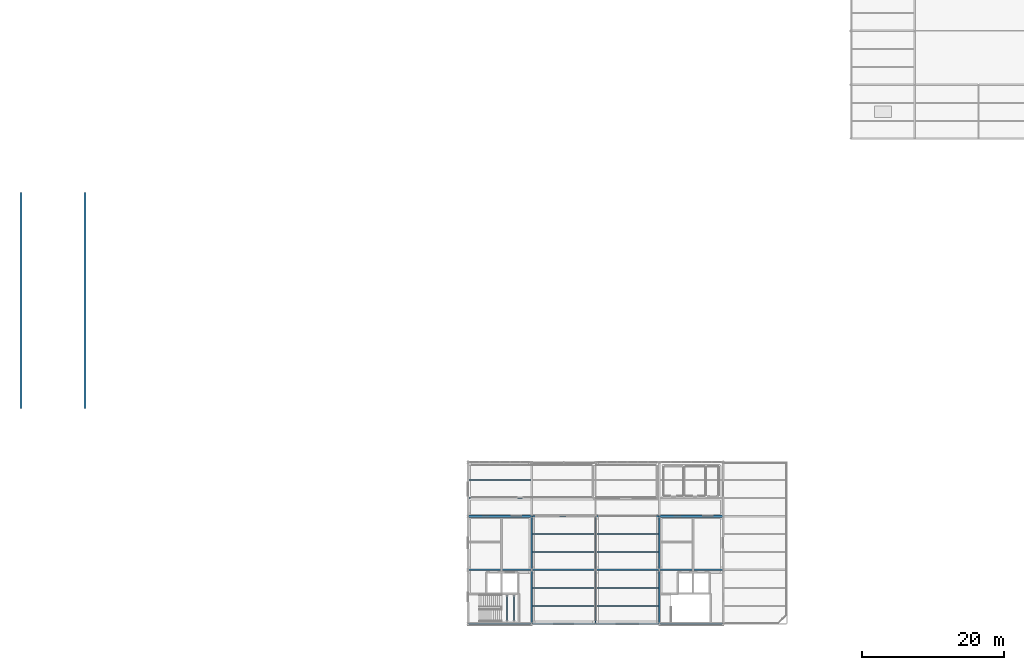
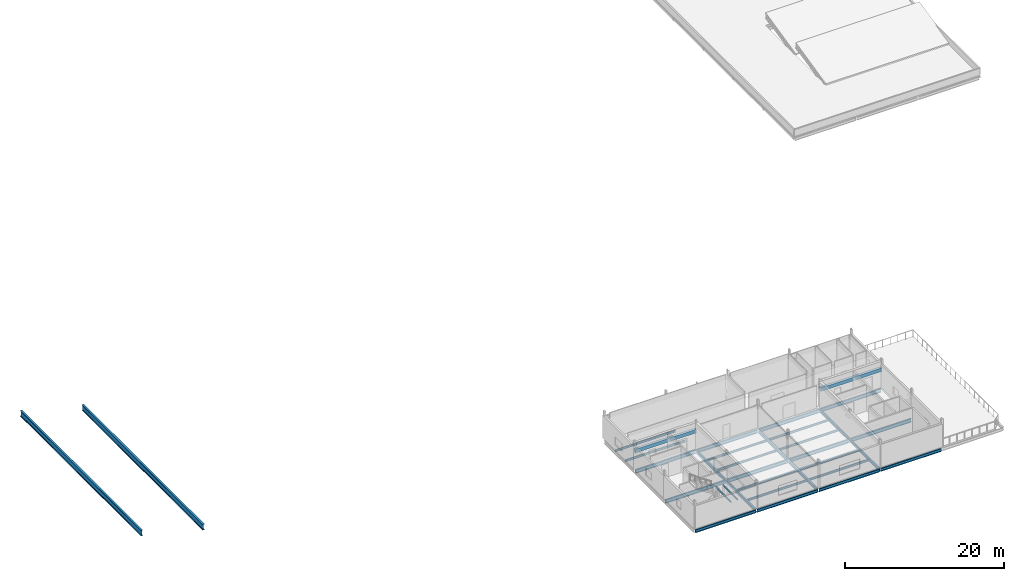
# One storey, part 5 of 24: 34 beams.
"""IFC4 building model written with IfcOpenShell, lengths in metres."""

import ifcopenshell
import ifcopenshell.guid

model = None  # the IFC model being written
_history = None  # IfcOwnerHistory: only IFC2X3 demands one
_inside = {}  # id of a spatial element -> (the spatial element, [elements in it])
_under = {}  # id of a project, library or spatial element -> (it, [spatial elements below it])
_declared = {}  # id of a project -> (the project, [libraries it declares])
_typed = {}  # id of a type object -> (the type object, [elements of that type])
_made_of = {}  # id of a material, layer set ... -> (it, [elements and type objects made of it])


def new_model(schema):
    """Start an empty IFC model of exactly this schema.

    Asked for "IFC4X3", IfcOpenShell would pick the latest addendum, in which some entities
    have other attributes; the version numbers below select the first issue.
    IFC2X3 requires an IfcOwnerHistory on every rooted entity: one is made here for all.
    """
    global model, _history
    if schema == "IFC4X3":
        model = ifcopenshell.file(schema_version=(4, 3, 0, 0))
    else:
        model = ifcopenshell.file(schema=schema)
    _inside.clear()
    _under.clear()
    _declared.clear()
    _typed.clear()
    _made_of.clear()
    _history = None
    if model.schema == "IFC2X3":
        org = make("IfcOrganization", Name="unknown")
        user = make(
            "IfcPersonAndOrganization",
            ThePerson=make("IfcPerson", FamilyName="unknown"),
            TheOrganization=org,
        )
        app = make(
            "IfcApplication",
            ApplicationDeveloper=org,
            Version="unknown",
            ApplicationFullName="unknown",
            ApplicationIdentifier="unknown",
        )
        _history = make(
            "IfcOwnerHistory",
            OwningUser=user,
            OwningApplication=app,
            ChangeAction="ADDED",
            CreationDate=0,
        )
    return model


def make(cls, **values):
    """One entity of the class cls with the attributes given. An attribute that is None is left unset."""
    return model.create_entity(
        cls, **{name: value for name, value in values.items() if value is not None}
    )


def rooted(cls, **values):
    """An entity with a GlobalId (a new one), such as an element, a storey or a relation."""
    return make(cls, GlobalId=ifcopenshell.guid.new(), OwnerHistory=_history, **values)


def si_unit(unit_type, name, prefix=None):
    """IfcSIUnit, for example si_unit("LENGTHUNIT", "METRE", prefix="MILLI")."""
    return make("IfcSIUnit", UnitType=unit_type, Prefix=prefix, Name=name)


def assignment(units):
    """IfcUnitAssignment: the units of a project."""
    return None if units is None else make("IfcUnitAssignment", Units=units)


def point(xyz):
    """IfcCartesianPoint."""
    return None if xyz is None else make("IfcCartesianPoint", Coordinates=xyz)


def direction(xyz):
    """IfcDirection."""
    return None if xyz is None else make("IfcDirection", DirectionRatios=xyz)


def frame(location, z_axis=None, x_axis=None):
    """IfcAxis2Placement3D, a coordinate frame: its origin and axes. An axis left out is left unset."""
    return make(
        "IfcAxis2Placement3D",
        Location=point(location),
        Axis=direction(z_axis),
        RefDirection=direction(x_axis),
    )


def frame_2d(location, x_axis=None):
    """IfcAxis2Placement2D, a coordinate frame in the plane: its origin and x axis."""
    return make(
        "IfcAxis2Placement2D", Location=point(location), RefDirection=direction(x_axis)
    )


def origin():
    """The frame at (0, 0, 0) with its axes left unset."""
    return frame((0.0, 0.0, 0.0))


def origin_2d():
    """The frame at (0, 0) in the plane with its x axis left unset."""
    return frame_2d((0.0, 0.0))


def place(relative_to, where):
    """IfcLocalPlacement: puts the frame where relative to a parent placement (None: the world)."""
    return make(
        "IfcLocalPlacement", PlacementRelTo=relative_to, RelativePlacement=where
    )


def context(
    kind, dimensions, precision=None, world=None, true_north=None, identifier=None
):
    """IfcGeometricRepresentationContext, for example the 3D "Model" context."""
    return make(
        "IfcGeometricRepresentationContext",
        ContextIdentifier=identifier,
        ContextType=kind,
        CoordinateSpaceDimension=dimensions,
        Precision=precision,
        WorldCoordinateSystem=world,
        TrueNorth=true_north,
    )


def subcontext(parent, identifier, kind, view, scale=None):
    """IfcGeometricRepresentationSubContext, for example "Body" below "Model"."""
    return make(
        "IfcGeometricRepresentationSubContext",
        ContextIdentifier=identifier,
        ContextType=kind,
        ParentContext=parent,
        TargetScale=scale,
        TargetView=view,
    )


def project(units=None, contexts=None):
    """IfcProject with its units and contexts."""
    return rooted(
        "IfcProject",
        Name="project",
        RepresentationContexts=contexts,
        UnitsInContext=assignment(units),
    )


def spatial(cls, under=None, at=None, **own):
    """A site, building, storey or space (cls), placed at a placement, below another one or the project."""
    s = rooted(cls, ObjectPlacement=at, **own)
    if under is not None:
        _under.setdefault(under.id(), (under, []))[1].append(s)
    return s


def profile(cls, at=None, kind="AREA", **sizes):
    """A parametric profile (cls). Its sizes go by their IFC names, for example OverallWidth=200.0."""
    return make(cls, ProfileType=kind, Position=at, **sizes)


def rectangle(**sizes):
    """IfcRectangleProfileDef."""
    return profile("IfcRectangleProfileDef", **sizes)


def i_section(**sizes):
    """IfcIShapeProfileDef."""
    return profile("IfcIShapeProfileDef", **sizes)


def extrude(swept, where, along, depth):
    """IfcExtrudedAreaSolid: the profile swept, set in the frame where, extruded along a direction by depth."""
    return make(
        "IfcExtrudedAreaSolid",
        SweptArea=swept,
        Position=where,
        ExtrudedDirection=direction(along),
        Depth=depth,
    )


def shape(context_of_items, identifier, shape_type, items):
    """IfcShapeRepresentation: the items that make up one representation, for example the "Body"."""
    return make(
        "IfcShapeRepresentation",
        ContextOfItems=context_of_items,
        RepresentationIdentifier=identifier,
        RepresentationType=shape_type,
        Items=items,
    )


def material(Name=None, Category=None):
    """IfcMaterial."""
    return make("IfcMaterial", Name=Name, Category=Category)


def material_profile(
    of_material, cross_section, Name=None, Category=None, Priority=None
):
    """IfcMaterialProfile: a cross section and its material."""
    return make(
        "IfcMaterialProfile",
        Name=Name,
        Material=of_material,
        Profile=cross_section,
        Priority=Priority,
        Category=Category,
    )


def profile_set(profiles, Name=None, composite=None):
    """IfcMaterialProfileSet."""
    return make(
        "IfcMaterialProfileSet",
        Name=Name,
        MaterialProfiles=profiles,
        CompositeProfile=composite,
    )


def made_of(thing, what):
    """Note that an element or type object is made of a material, layer set ...; save() writes the relation."""
    if what is not None:
        _made_of.setdefault(what.id(), (what, []))[1].append(thing)
    return thing


def type_object(cls, material=None, **own):
    """A type object (cls), such as IfcWallType, which elements share."""
    return made_of(rooted(cls, **own), material)


def element(
    cls,
    number,
    at=None,
    inside=None,
    cuts=None,
    type_object=None,
    material=None,
    context=None,
    identifier="Body",
    shape_type=None,
    held_by="IfcProductDefinitionShape",
    body=None,
    shapes=None,
    **own,
):
    """One element of the class cls, such as IfcWall. Its Tag is "e" and its number.

    at: its placement. inside: the storey or other place that contains it. cuts: it is an
    opening in that element (IfcRelVoidsElement). A single representation is given by context,
    identifier, shape_type and body (its items); several are given by shapes. held_by: the class
    of the entity that holds the representations. save() writes the other relations.
    """
    e = rooted(cls, Tag="e%d" % number, ObjectPlacement=at, **own)
    if body is not None:
        shapes = [shape(context, identifier, shape_type, body)]
    if shapes is not None:
        e.Representation = make(held_by, Representations=shapes)
    if inside is not None:
        _inside.setdefault(inside.id(), (inside, []))[1].append(e)
    if cuts is not None:
        rooted(
            "IfcRelVoidsElement", RelatingBuildingElement=cuts, RelatedOpeningElement=e
        )
    if type_object is not None:
        _typed.setdefault(type_object.id(), (type_object, []))[1].append(e)
    return made_of(e, material)


def aggregate(whole, parts):
    """IfcRelAggregates: a whole, such as a stair, and the parts it consists of."""
    return rooted("IfcRelAggregates", RelatingObject=whole, RelatedObjects=parts)


def save(model, path):
    """Write the relations noted so far, then the file.

    IfcRelAggregates (storeys below a building ...), IfcRelContainedInSpatialStructure (elements
    in a storey), IfcRelDefinesByType, IfcRelAssociatesMaterial and IfcRelDeclares: one each for
    every whole, place, type object, material and project.
    """
    for whole, parts in _under.values():
        aggregate(whole, parts)
    for where, things in _inside.values():
        rooted(
            "IfcRelContainedInSpatialStructure",
            RelatedElements=things,
            RelatingStructure=where,
        )
    for kind, things in _typed.values():
        rooted("IfcRelDefinesByType", RelatedObjects=things, RelatingType=kind)
    for what, things in _made_of.values():
        rooted("IfcRelAssociatesMaterial", RelatedObjects=things, RelatingMaterial=what)
    for by, libraries in _declared.values():
        rooted("IfcRelDeclares", RelatingContext=by, RelatedDefinitions=libraries)
    model.write(path)


model = new_model("IFC4")

# Units and contexts
model_context = context("Model", 3, precision=1e-05, world=origin(), true_north=direction((0.0, 1.0)))
body_context = subcontext(model_context, "Body", "Model", "MODEL_VIEW")
ifc_project = project(units=[si_unit("LENGTHUNIT", "METRE"), si_unit("AREAUNIT", "SQUARE_METRE"), si_unit("VOLUMEUNIT", "CUBIC_METRE"), si_unit("PLANEANGLEUNIT", "RADIAN"), si_unit("MASSUNIT", "GRAM", prefix="KILO")], contexts=[model_context])

# Site, building, storey
site_placement = place(None, origin())
site = spatial("IfcSite", under=ifc_project, at=site_placement, CompositionType="ELEMENT")
building_placement = place(site_placement, origin())
building = spatial("IfcBuilding", under=site, at=building_placement, Name="Caisbarro Railhouse Central Library", CompositionType="ELEMENT")
storey_placement = place(building_placement, frame((0.0, 0.0, 22.320068359375)))
storey = spatial("IfcBuildingStorey", under=building, at=storey_placement, Name="L05", CompositionType="ELEMENT", Elevation=22.320068359375)

# Beams
ifc_material_1 = material(Name="Steel ASTM A572 Grade 50", Category="steel")
ifc_material_profile_1 = material_profile(ifc_material_1, i_section(OverallWidth=0.2939453125, OverallDepth=0.85107421875, WebThickness=0.01611328125, FlangeThickness=0.02685546875, FilletRadius=0.02392578125, at=origin_2d()), Name="W840X226.0")
ifc_profile_set_1 = profile_set([ifc_material_profile_1], Name="Steel ASTM A572 Grade 50")
beam_type_1 = type_object("IfcBeamType", Name="BM-G01", PredefinedType="BEAM", material=ifc_profile_set_1)
for number, where, z_axis, x_axis, name in (
    (1, (0.0, 30.35009765625, 2.911376953125), (0.0, 1.0, 0.0), (-1.0, 0.0, 0.0), "V1 Stepped Transverse Gridshell Girder X=0"),
    (2, (9.0, 30.35009765625, 0.661376953125), (0.0, 1.0, 0.0), (-1.0, 0.0, 0.0), "V1 Stepped Transverse Gridshell Girder X=9"),
):
    element("IfcBeam", number, at=place(storey_placement, frame(where, z_axis=z_axis, x_axis=x_axis)), inside=storey, type_object=beam_type_1, Name=name, PredefinedType="BEAM", context=body_context, shape_type="SweptSolid", body=[
        extrude(i_section(OverallWidth=0.2939453125, OverallDepth=0.85107421875, WebThickness=0.01611328125, FlangeThickness=0.02685546875, FilletRadius=0.02392578125, at=origin_2d()), origin(), (0.0, 0.0, 1.0), 30.5),
    ])
ifc_material_profile_2 = material_profile(ifc_material_1, i_section(OverallWidth=0.2119140625, OverallDepth=0.5439453125, WebThickness=0.01318359375, FlangeThickness=0.021240234375, FilletRadius=0.02001953125, at=origin_2d()), Name="W530X123.0")
ifc_profile_set_2 = profile_set([ifc_material_profile_2], Name="Steel ASTM A572 Grade 50")
beam_type_2 = type_object("IfcBeamType", Name="BM-G05", PredefinedType="BEAM", material=ifc_profile_set_2)
for number, where, z_axis, x_axis, name in (
    (3, (63.080078125, 7.60009765625, -0.511962890625), (1.0, 0.0, 0.0), (0.0, 1.0, 0.0), "G05 beam L05 #2178"),
    (4, (72.080078125, 7.60009765625, -0.511962890625), (1.0, 0.0, 0.0), (0.0, 1.0, 0.0), "G05 beam L05 #2179"),
    (5, (81.080078125, 7.60009765625, -0.511962890625), (1.0, 0.0, 0.0), (0.0, 1.0, 0.0), "G05 beam L05 #2180"),
    (6, (90.080078125, 7.60009765625, -0.511962890625), (1.0, 0.0, 0.0), (0.0, 1.0, 0.0), "G05 beam L05 #2181"),
    (7, (63.080078125, 15.199951171875, -0.511962890625), (1.0, 0.0, 0.0), (0.0, 1.0, 0.0), "G05 beam L05 #2182"),
    (8, (72.080078125, 15.199951171875, -0.511962890625), (1.0, 0.0, 0.0), (0.0, 1.0, 0.0), "G05 beam L05 #2183"),
    (9, (81.080078125, 15.199951171875, -0.511962890625), (1.0, 0.0, 0.0), (0.0, 1.0, 0.0), "G05 beam L05 #2184"),
    (10, (90.080078125, 15.199951171875, -0.511962890625), (1.0, 0.0, 0.0), (0.0, 1.0, 0.0), "G05 beam L05 #2185"),
):
    element("IfcBeam", number, at=place(storey_placement, frame(where, z_axis=z_axis, x_axis=x_axis)), inside=storey, type_object=beam_type_2, Name=name, PredefinedType="BEAM", context=body_context, shape_type="SweptSolid", body=[
        extrude(i_section(OverallWidth=0.2119140625, OverallDepth=0.5439453125, WebThickness=0.01318359375, FlangeThickness=0.021240234375, FilletRadius=0.02001953125, at=origin_2d()), origin(), (0.0, 0.0, 1.0), 8.83984375),
    ])
ifc_material_profile_3 = material_profile(ifc_material_1, i_section(OverallWidth=0.194091796875, OverallDepth=0.468994140625, WebThickness=0.0126953125, FlangeThickness=0.0205078125, FilletRadius=0.01806640625, at=origin_2d()), Name="W460X106.0")
ifc_profile_set_3 = profile_set([ifc_material_profile_3], Name="Steel ASTM A572 Grade 50")
beam_type_3 = type_object("IfcBeamType", Name="BM-G07", PredefinedType="BEAM", material=ifc_profile_set_3)
beam_1_placement = place(storey_placement, frame((72.0, 0.080078125, -0.474609375), z_axis=(0.0, 1.0, 0.0), x_axis=(-1.0, 0.0, 0.0)))
element("IfcBeam", 11, at=beam_1_placement, inside=storey, type_object=beam_type_3, Name="G07 beam L05 #2193", PredefinedType="BEAM", context=body_context, shape_type="SweptSolid", body=[
    extrude(i_section(OverallWidth=0.194091796875, OverallDepth=0.468994140625, WebThickness=0.0126953125, FlangeThickness=0.0205078125, FilletRadius=0.01806640625, at=origin_2d()), origin(), (0.0, 0.0, 1.0), 7.43994140625),
])
beam_2_placement = place(storey_placement, frame((72.0, 7.679931640625, -0.474609375), z_axis=(0.0, 1.0, 0.0), x_axis=(-1.0, 0.0, 0.0)))
element("IfcBeam", 12, at=beam_2_placement, inside=storey, type_object=beam_type_3, Name="G07 beam L05 #2194", PredefinedType="BEAM", context=body_context, shape_type="SweptSolid", body=[
    extrude(i_section(OverallWidth=0.194091796875, OverallDepth=0.468994140625, WebThickness=0.0126953125, FlangeThickness=0.0205078125, FilletRadius=0.01806640625, at=origin_2d()), origin(), (0.0, 0.0, 1.0), 7.440185546875),
])
beam_3_placement = place(storey_placement, frame((81.0, 0.080078125, -0.474609375), z_axis=(0.0, 1.0, 0.0), x_axis=(-1.0, 0.0, 0.0)))
element("IfcBeam", 13, at=beam_3_placement, inside=storey, type_object=beam_type_3, Name="G07 beam L05 #2196", PredefinedType="BEAM", context=body_context, shape_type="SweptSolid", body=[
    extrude(i_section(OverallWidth=0.194091796875, OverallDepth=0.468994140625, WebThickness=0.0126953125, FlangeThickness=0.0205078125, FilletRadius=0.01806640625, at=origin_2d()), origin(), (0.0, 0.0, 1.0), 7.43994140625),
])
beam_4_placement = place(storey_placement, frame((81.0, 7.679931640625, -0.474609375), z_axis=(0.0, 1.0, 0.0), x_axis=(-1.0, 0.0, 0.0)))
element("IfcBeam", 14, at=beam_4_placement, inside=storey, type_object=beam_type_3, Name="G07 beam L05 #2197", PredefinedType="BEAM", context=body_context, shape_type="SweptSolid", body=[
    extrude(i_section(OverallWidth=0.194091796875, OverallDepth=0.468994140625, WebThickness=0.0126953125, FlangeThickness=0.0205078125, FilletRadius=0.01806640625, at=origin_2d()), origin(), (0.0, 0.0, 1.0), 7.440185546875),
])
beam_5_placement = place(storey_placement, frame((90.0, 0.080078125, -0.474609375), z_axis=(0.0, 1.0, 0.0), x_axis=(-1.0, 0.0, 0.0)))
element("IfcBeam", 15, at=beam_5_placement, inside=storey, type_object=beam_type_3, Name="G07 beam L05 #2199", PredefinedType="BEAM", context=body_context, shape_type="SweptSolid", body=[
    extrude(i_section(OverallWidth=0.194091796875, OverallDepth=0.468994140625, WebThickness=0.0126953125, FlangeThickness=0.0205078125, FilletRadius=0.01806640625, at=origin_2d()), origin(), (0.0, 0.0, 1.0), 7.43994140625),
])
beam_6_placement = place(storey_placement, frame((90.0, 7.679931640625, -0.474609375), z_axis=(0.0, 1.0, 0.0), x_axis=(-1.0, 0.0, 0.0)))
element("IfcBeam", 16, at=beam_6_placement, inside=storey, type_object=beam_type_3, Name="G07 beam L05 #2200", PredefinedType="BEAM", context=body_context, shape_type="SweptSolid", body=[
    extrude(i_section(OverallWidth=0.194091796875, OverallDepth=0.468994140625, WebThickness=0.0126953125, FlangeThickness=0.0205078125, FilletRadius=0.01806640625, at=origin_2d()), origin(), (0.0, 0.0, 1.0), 7.440185546875),
])
ifc_material_profile_4 = material_profile(ifc_material_1, i_section(OverallWidth=0.1669921875, OverallDepth=0.31689453125, WebThickness=0.007568359375, FlangeThickness=0.01318359375, FilletRadius=0.011962890625, at=origin_2d()), Name="W310X52.0")
ifc_profile_set_4 = profile_set([ifc_material_profile_4], Name="Steel ASTM A572 Grade 50")
beam_type_4 = type_object("IfcBeamType", Name="BM-J02", PredefinedType="JOIST", material=ifc_profile_set_4)
for number, where, z_axis, x_axis, name in (
    (17, (63.096923828125, 17.7333984375, -0.398681640625), (1.0, 0.0, 0.0), (0.0, 1.0, 0.0), "J02 beam L05 #2205"),
    (18, (63.096923828125, 20.2666015625, -0.398681640625), (1.0, 0.0, 0.0), (0.0, 1.0, 0.0), "J02 beam L05 #2206"),
    (19, (72.096923828125, 2.533203125, -0.398681640625), (1.0, 0.0, 0.0), (0.0, 1.0, 0.0), "J02 beam L05 #2207"),
    (20, (72.096923828125, 5.066650390625, -0.398681640625), (1.0, 0.0, 0.0), (0.0, 1.0, 0.0), "J02 beam L05 #2208"),
    (21, (72.096923828125, 10.13330078125, -0.398681640625), (1.0, 0.0, 0.0), (0.0, 1.0, 0.0), "J02 beam L05 #2209"),
    (22, (72.096923828125, 12.666748046875, -0.398681640625), (1.0, 0.0, 0.0), (0.0, 1.0, 0.0), "J02 beam L05 #2210"),
    (23, (81.096923828125, 2.533203125, -0.398681640625), (1.0, 0.0, 0.0), (0.0, 1.0, 0.0), "J02 beam L05 #2213"),
    (24, (81.096923828125, 5.066650390625, -0.398681640625), (1.0, 0.0, 0.0), (0.0, 1.0, 0.0), "J02 beam L05 #2214"),
    (25, (81.096923828125, 10.13330078125, -0.398681640625), (1.0, 0.0, 0.0), (0.0, 1.0, 0.0), "J02 beam L05 #2215"),
    (26, (81.096923828125, 12.666748046875, -0.398681640625), (1.0, 0.0, 0.0), (0.0, 1.0, 0.0), "J02 beam L05 #2216"),
):
    element("IfcBeam", number, at=place(storey_placement, frame(where, z_axis=z_axis, x_axis=x_axis)), inside=storey, type_object=beam_type_4, Name=name, PredefinedType="JOIST", context=body_context, shape_type="SweptSolid", body=[
        extrude(i_section(OverallWidth=0.1669921875, OverallDepth=0.31689453125, WebThickness=0.007568359375, FlangeThickness=0.01318359375, FilletRadius=0.011962890625, at=origin_2d()), origin(), (0.0, 0.0, 1.0), 8.80615234375),
    ])
ifc_material_2 = material(Name="Concrete C40", Category="concrete")
ifc_material_profile_5 = material_profile(ifc_material_2, rectangle(XDim=0.35009765625, YDim=0.56005859375, at=origin_2d()), Name="RC-LIN-350X560")
ifc_profile_set_5 = profile_set([ifc_material_profile_5], Name="Concrete C40")
beam_type_5 = type_object("IfcBeamType", Name="BM-LN05", PredefinedType="LINTEL", material=ifc_profile_set_5)
for number, where, z_axis, x_axis, name in (
    (27, (63.050048828125, 15.199951171875, 2.72998046875), (1.0, 0.0, 0.0), (0.0, 1.0, 0.0), "LN05 RC core coupling lintel K1 L05"),
    (28, (90.050048828125, 15.199951171875, 2.72998046875), (1.0, 0.0, 0.0), (0.0, 1.0, 0.0), "LN05 RC core coupling lintel K2 L05"),
):
    element("IfcBeam", number, at=place(storey_placement, frame(where, z_axis=z_axis, x_axis=x_axis)), inside=storey, type_object=beam_type_5, Name=name, PredefinedType="LINTEL", context=body_context, shape_type="SweptSolid", body=[
        extrude(rectangle(XDim=0.35009765625, YDim=0.56005859375, at=origin_2d()), origin(), (0.0, 0.0, 1.0), 8.89990234375),
    ])
ifc_material_profile_6 = material_profile(ifc_material_1, i_section(OverallWidth=0.152099609375, OverallDepth=0.152099609375, WebThickness=0.005859375, FlangeThickness=0.006591796875, FilletRadius=0.008056640625, at=origin_2d()), Name="W150X22.5")
ifc_profile_set_6 = profile_set([ifc_material_profile_6], Name="Steel ASTM A572 Grade 50")
beam_type_6 = type_object("IfcBeamType", Name="BM-SL04", PredefinedType="BEAM", material=ifc_profile_set_6)
for number, where, z_axis, x_axis, name in (
    (29, (68.5, 0.3798828125, 1.89404296875), (0.0, 1.0, 0.0), (-1.0, 0.0, 0.0), "SL04 Stair Landing Support Beam K1 L05 W"),
    (30, (69.5, 0.3798828125, 1.89404296875), (0.0, 1.0, 0.0), (-1.0, 0.0, 0.0), "SL04 Stair Landing Support Beam K1 L05 E"),
):
    element("IfcBeam", number, at=place(storey_placement, frame(where, z_axis=z_axis, x_axis=x_axis)), inside=storey, type_object=beam_type_6, Name=name, PredefinedType="BEAM", context=body_context, shape_type="SweptSolid", body=[
        extrude(i_section(OverallWidth=0.152099609375, OverallDepth=0.152099609375, WebThickness=0.005859375, FlangeThickness=0.006591796875, FilletRadius=0.008056640625, at=origin_2d()), origin(), (0.0, 0.0, 1.0), 3.690185546875),
    ])
ifc_material_profile_7 = material_profile(ifc_material_1, i_section(OverallWidth=0.18994140625, OverallDepth=0.45703125, WebThickness=0.009033203125, FlangeThickness=0.014404296875, FilletRadius=0.01806640625, at=origin_2d()), Name="W460X74.0")
ifc_profile_set_7 = profile_set([ifc_material_profile_7], Name="Steel ASTM A572 Grade 50")
beam_type_7 = type_object("IfcBeamType", Name="BM-SP01", PredefinedType="SPANDREL", material=ifc_profile_set_7)
for number, where, z_axis, x_axis, name in (
    (31, (63.080078125, 0.0, -0.468505859375), (1.0, 0.0, 0.0), (0.0, 1.0, 0.0), "SP01 beam L05 #2174"),
    (32, (72.080078125, 0.0, -0.468505859375), (1.0, 0.0, 0.0), (0.0, 1.0, 0.0), "SP01 beam L05 #2175"),
    (33, (81.080078125, 0.0, -0.468505859375), (1.0, 0.0, 0.0), (0.0, 1.0, 0.0), "SP01 beam L05 #2176"),
    (34, (90.080078125, 0.0, -0.468505859375), (1.0, 0.0, 0.0), (0.0, 1.0, 0.0), "SP01 beam L05 #2177"),
):
    element("IfcBeam", number, at=place(storey_placement, frame(where, z_axis=z_axis, x_axis=x_axis)), inside=storey, type_object=beam_type_7, Name=name, PredefinedType="SPANDREL", context=body_context, shape_type="SweptSolid", body=[
        extrude(i_section(OverallWidth=0.18994140625, OverallDepth=0.45703125, WebThickness=0.009033203125, FlangeThickness=0.014404296875, FilletRadius=0.01806640625, at=origin_2d()), origin(), (0.0, 0.0, 1.0), 8.83984375),
    ])

save(model, "model.ifc")
